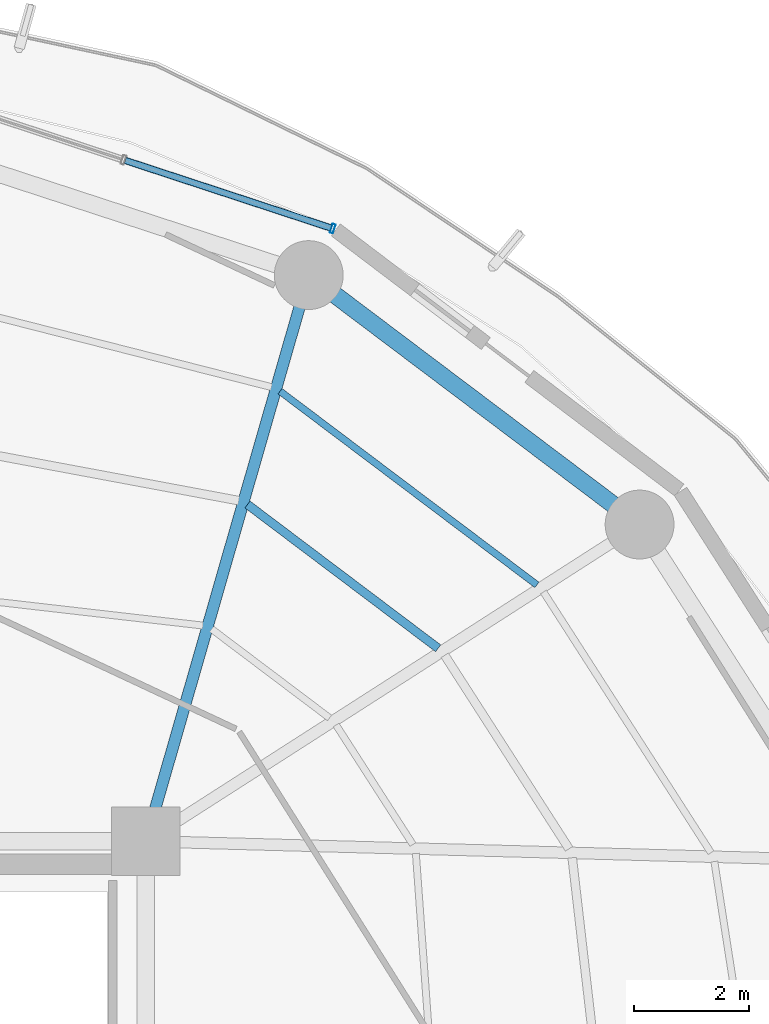
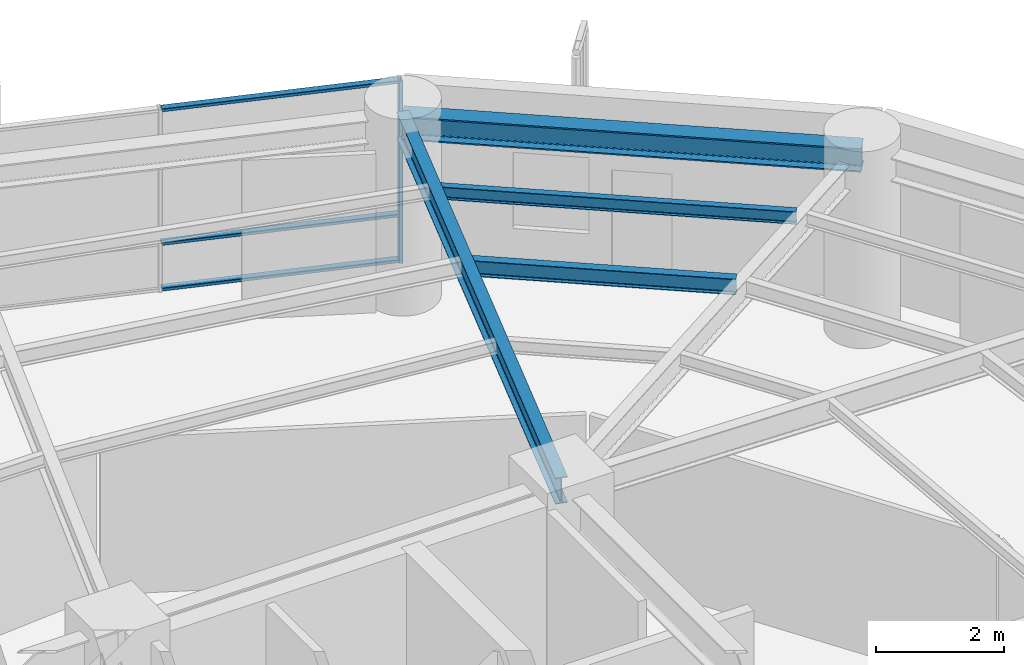
# One storey, part 19 of 28: 4 beams, 4 members, 1 element without a shape of its own.
"""IFC4 building model written with IfcOpenShell, lengths in metres."""

from ifc_helpers import new_model, si_unit, direction, frame, origin, origin_2d, place, context, subcontext, project, spatial, hollow_rectangle, i_section, extrude, material, layer, layer_set, material_profile, profile_set, type_object, element, aggregate, save


model = new_model("IFC4")

# Units and contexts
model_context = context("Model", 3, precision=1e-05, world=origin(), true_north=direction((0.0, 1.0)))
body_context = subcontext(model_context, "Body", "Model", "MODEL_VIEW")
ifc_project = project(units=[si_unit("LENGTHUNIT", "METRE"), si_unit("AREAUNIT", "SQUARE_METRE"), si_unit("VOLUMEUNIT", "CUBIC_METRE"), si_unit("PLANEANGLEUNIT", "RADIAN"), si_unit("MASSUNIT", "GRAM", prefix="KILO")], contexts=[model_context])

# Site, building, storey
site_placement = place(None, origin())
site = spatial("IfcSite", under=ifc_project, at=site_placement, CompositionType="ELEMENT")
building_placement = place(site_placement, origin())
building = spatial("IfcBuilding", under=site, at=building_placement, Name="Kelanora Arch Commons", CompositionType="ELEMENT")
storey_placement = place(building_placement, frame((0.0, 0.0, 180.60009765625)))
storey = spatial("IfcBuildingStorey", under=building, at=storey_placement, Name="L46", CompositionType="ELEMENT", Elevation=180.60009765625)

# Beams
ifc_material_1 = material(Name="Steel S355", Category="steel")
ifc_material_profile_1 = material_profile(ifc_material_1, i_section(OverallWidth=0.14990234375, OverallDepth=0.300048828125, WebThickness=0.007080078125, FlangeThickness=0.0107421875, FilletRadius=0.014892578125, at=origin_2d()), Name="IPE300")
ifc_profile_set_1 = profile_set([ifc_material_profile_1], Name="Steel S355")
beam_type_1 = type_object("IfcBeamType", Name="BM-JST-01", PredefinedType="JOIST", material=ifc_profile_set_1)
beam_1_placement = place(storey_placement, frame((87.0966796875, 68.364013671875, 3.33984375), z_axis=(-0.798463547891, 0.602043156833, 0.0), x_axis=(-0.602043156833, -0.798463547891, 0.0)))
element("IfcBeam", 1, at=beam_1_placement, inside=storey, type_object=beam_type_1, Name="Secondary Chord Joist BJB-04 L46", PredefinedType="JOIST", context=body_context, shape_type="SweptSolid", body=[
    extrude(i_section(OverallWidth=0.14990234375, OverallDepth=0.300048828125, WebThickness=0.007080078125, FlangeThickness=0.0107421875, FilletRadius=0.014892578125, at=origin_2d()), origin(), (0.0, 0.0, 1.0), 4.163818359375),
])
ifc_material_profile_2 = material_profile(ifc_material_1, i_section(OverallWidth=0.1201171875, OverallDepth=0.239990234375, WebThickness=0.006103515625, FlangeThickness=0.009765625, FilletRadius=0.014892578125, at=origin_2d()), Name="IPE240")
ifc_profile_set_2 = profile_set([ifc_material_profile_2], Name="Steel S355")
beam_type_2 = type_object("IfcBeamType", Name="BM-JST-02", PredefinedType="JOIST", material=ifc_profile_set_2)
beam_2_placement = place(storey_placement, frame((88.818359375, 69.468505859375, 3.369873046875), z_axis=(-0.798493128577, 0.602003923256, 0.0), x_axis=(-0.602003923256, -0.798493128577, 0.0)))
element("IfcBeam", 2, at=beam_2_placement, inside=storey, type_object=beam_type_2, Name="Secondary Chord Joist BJC-04 L46", PredefinedType="JOIST", context=body_context, shape_type="SweptSolid", body=[
    extrude(i_section(OverallWidth=0.1201171875, OverallDepth=0.239990234375, WebThickness=0.006103515625, FlangeThickness=0.009765625, FilletRadius=0.014892578125, at=origin_2d()), origin(), (0.0, 0.0, 1.0), 5.608642578125),
])
ifc_material_profile_3 = material_profile(ifc_material_1, i_section(OverallWidth=0.199951171875, OverallDepth=0.5, WebThickness=0.01025390625, FlangeThickness=0.01611328125, FilletRadius=0.02099609375, at=origin_2d()), Name="IPE500")
ifc_profile_set_3 = profile_set([ifc_material_profile_3], Name="Steel S355")
beam_type_3 = type_object("IfcBeamType", Name="BM-RAD-Z3", PredefinedType="BEAM", material=ifc_profile_set_3)
beam_3_placement = place(storey_placement, frame((82.0, 65.0, 3.239990234375), z_axis=(0.276525880065, 0.961006471182, 0.0), x_axis=(-0.961006471182, 0.276525880065, 0.0)))
element("IfcBeam", 3, at=beam_3_placement, inside=storey, type_object=beam_type_3, Name="Radial Floor Girder BR-06 L46", PredefinedType="BEAM", context=body_context, shape_type="SweptSolid", body=[
    extrude(i_section(OverallWidth=0.199951171875, OverallDepth=0.5, WebThickness=0.01025390625, FlangeThickness=0.01611328125, FilletRadius=0.02099609375, at=origin_2d()), origin(), (0.0, 0.0, 1.0), 10.2705078125),
])
ifc_material_profile_4 = material_profile(ifc_material_1, i_section(OverallWidth=0.300048828125, OverallDepth=0.449951171875, WebThickness=0.013916015625, FlangeThickness=0.02587890625, FilletRadius=0.027099609375, at=origin_2d()), Name="HEB450")
ifc_profile_set_4 = profile_set([ifc_material_profile_4], Name="Steel S355")
beam_type_4 = type_object("IfcBeamType", Name="BM-SPN-Z3", PredefinedType="SPANDREL", material=ifc_profile_set_4)
beam_4_placement = place(storey_placement, frame((90.60791015625, 70.521484375, 3.264892578125), z_axis=(-0.798484645564, 0.60201517489, 0.0), x_axis=(-0.60201517489, -0.798484645564, 0.0)))
element("IfcBeam", 4, at=beam_4_placement, inside=storey, type_object=beam_type_4, Name="Perimeter Spandrel Beam BS-04 L46", PredefinedType="SPANDREL", context=body_context, shape_type="SweptSolid", body=[
    extrude(i_section(OverallWidth=0.300048828125, OverallDepth=0.449951171875, WebThickness=0.013916015625, FlangeThickness=0.02587890625, FilletRadius=0.027099609375, at=origin_2d()), origin(), (0.0, 0.0, 1.0), 7.223388671875),
])

# Curtain wall, members
ifc_material_2 = material(Name="Terracotta ceramic-fritted low-E glass and aluminium", Category="masonry")
ifc_layer = layer(ifc_material_2, 0.175048828125)
ifc_layer_set = layer_set([ifc_layer], Name="Terracotta ceramic-fritted low-E glass and aluminium")
curtain_wall_type = type_object("IfcCurtainWallType", Name="CW-SYS-02", PredefinedType="NOTDEFINED", material=ifc_layer_set)
curtain_wall_placement = place(storey_placement, origin())
curtain_wall = element("IfcCurtainWall", 5, at=curtain_wall_placement, inside=storey, type_object=curtain_wall_type, Name="Unitised Curtain Wall L46-B03", PredefinedType="NOTDEFINED")
ifc_material_3 = material(Name="Powder-coated aluminium terracotta", Category="masonry")
ifc_material_profile_5 = material_profile(ifc_material_3, hollow_rectangle(XDim=0.159912109375, YDim=0.06005859375, WallThickness=0.0048828125, InnerFilletRadius=0.0048828125, OuterFilletRadius=0.010009765625, at=origin_2d()), Name="CWM160x60")
ifc_profile_set_5 = profile_set([ifc_material_profile_5], Name="Powder-coated aluminium terracotta")
member_type_1 = type_object("IfcMemberType", Name="CWM-STD", PredefinedType="MULLION", material=ifc_profile_set_5)
member_1_placement = place(storey_placement, frame((85.257080078125, 75.680908203125, 0.0), z_axis=(0.0, 0.0, 1.0), x_axis=(-0.312128279571, -0.95003996605, 0.0)))
member_1 = element("IfcMember", 6, at=member_1_placement, type_object=member_type_1, Name="CW-02 mullion 1", PredefinedType="MULLION", context=body_context, shape_type="SweptSolid", body=[
    extrude(hollow_rectangle(XDim=0.159912109375, YDim=0.06005859375, WallThickness=0.0048828125, InnerFilletRadius=0.0048828125, OuterFilletRadius=0.010009765625, at=origin_2d()), origin(), (0.0, 0.0, 1.0), 3.474853515625),
])
ifc_material_profile_6 = material_profile(ifc_material_3, hollow_rectangle(XDim=0.1201171875, YDim=0.06005859375, WallThickness=0.0048828125, InnerFilletRadius=0.0048828125, OuterFilletRadius=0.010009765625, at=origin_2d()), Name="CWT120x60")
ifc_profile_set_6 = profile_set([ifc_material_profile_6], Name="Powder-coated aluminium terracotta")
member_type_2 = type_object("IfcMemberType", Name="CWT-STD", PredefinedType="USERDEFINED", material=ifc_profile_set_6)
member_2_placement = place(storey_placement, frame((85.228759765625, 75.6904296875, 0.02978515625), z_axis=(-0.950051191155, 0.312094111104, 0.0), x_axis=(-0.312094111104, -0.950051191155, 0.0)))
member_2 = element("IfcMember", 7, at=member_2_placement, type_object=member_type_2, Name="CW-02 transom 1.1", ObjectType="TRANSOM", PredefinedType="USERDEFINED", context=body_context, shape_type="SweptSolid", body=[
    extrude(hollow_rectangle(XDim=0.1201171875, YDim=0.06005859375, WallThickness=0.0048828125, InnerFilletRadius=0.0048828125, OuterFilletRadius=0.010009765625, at=origin_2d()), origin(), (0.0, 0.0, 1.0), 3.77685546875),
])
member_3_placement = place(storey_placement, frame((85.228759765625, 75.6904296875, 0.89990234375), z_axis=(-0.950051191155, 0.312094111104, 0.0), x_axis=(-0.312094111104, -0.950051191155, 0.0)))
member_3 = element("IfcMember", 8, at=member_3_placement, type_object=member_type_2, Name="CW-02 transom 1.2", ObjectType="TRANSOM", PredefinedType="USERDEFINED", context=body_context, shape_type="SweptSolid", body=[
    extrude(hollow_rectangle(XDim=0.1201171875, YDim=0.06005859375, WallThickness=0.0048828125, InnerFilletRadius=0.0048828125, OuterFilletRadius=0.010009765625, at=origin_2d()), origin(), (0.0, 0.0, 1.0), 3.77685546875),
])
member_4_placement = place(storey_placement, frame((85.228759765625, 75.6904296875, 3.44482421875), z_axis=(-0.950051191155, 0.312094111104, 0.0), x_axis=(-0.312094111104, -0.950051191155, 0.0)))
member_4 = element("IfcMember", 9, at=member_4_placement, type_object=member_type_2, Name="CW-02 transom 1.3", ObjectType="TRANSOM", PredefinedType="USERDEFINED", context=body_context, shape_type="SweptSolid", body=[
    extrude(hollow_rectangle(XDim=0.1201171875, YDim=0.06005859375, WallThickness=0.0048828125, InnerFilletRadius=0.0048828125, OuterFilletRadius=0.010009765625, at=origin_2d()), origin(), (0.0, 0.0, 1.0), 3.77685546875),
])
aggregate(curtain_wall, [member_1, member_2, member_3, member_4])

save(model, "model.ifc")
